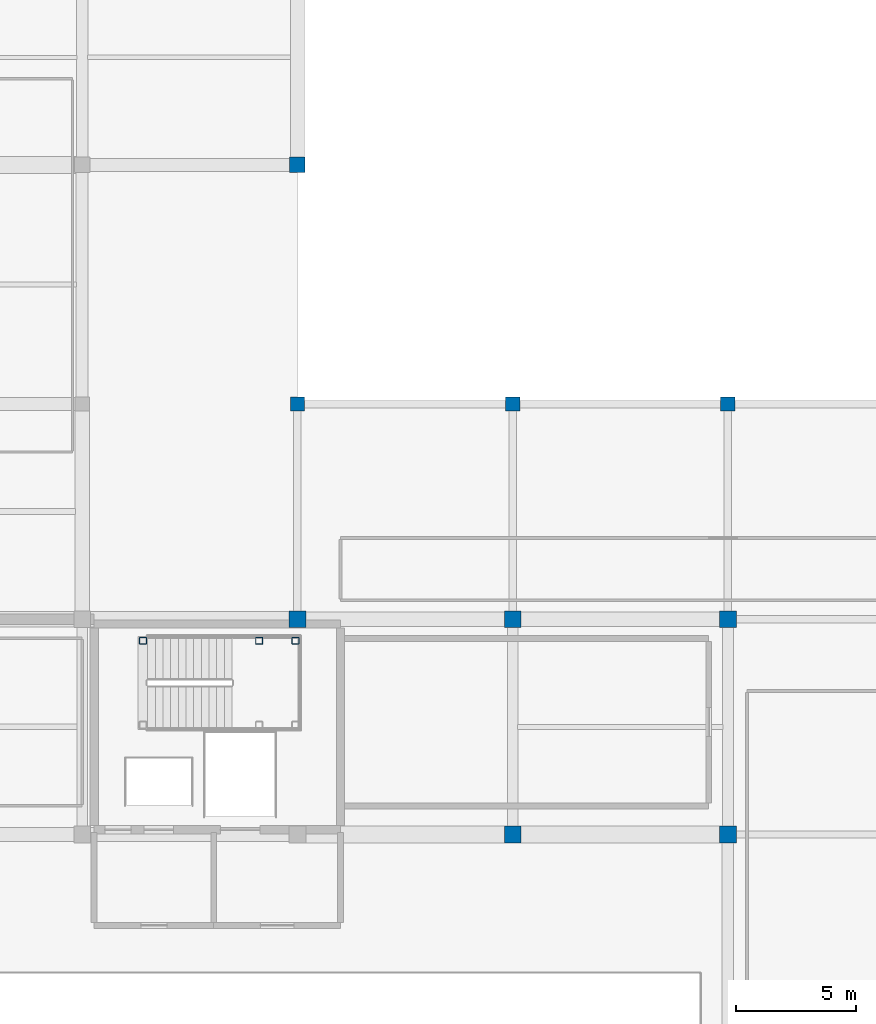
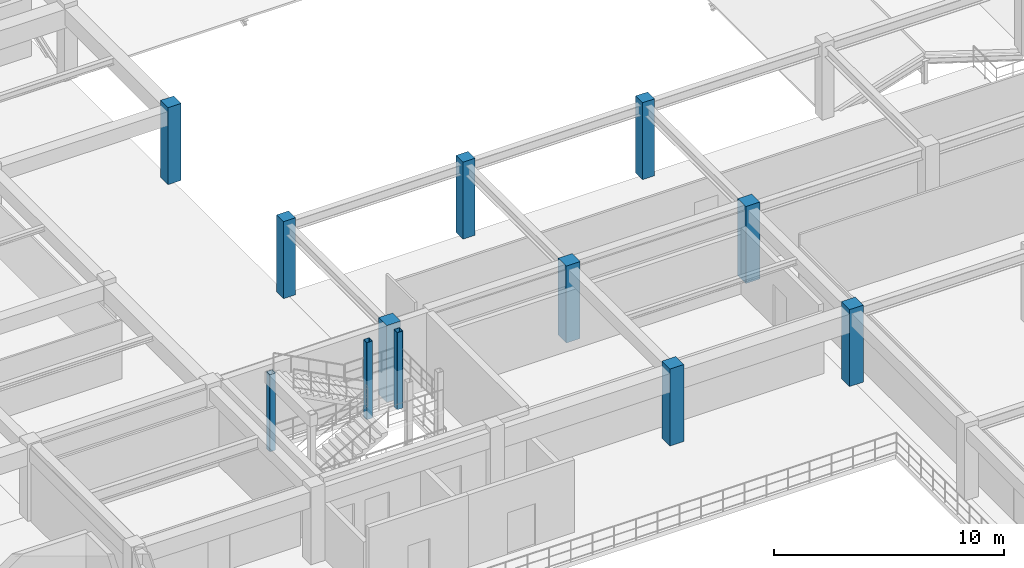
# One storey, part 9 of 110: 12 columns.
"""IFC4 building model written with IfcOpenShell, lengths in metres."""

from ifc_helpers import new_model, si_unit, direction, frame, origin, origin_2d, place, context, subcontext, project, spatial, rectangle, hollow_rectangle, extrude, material, material_profile, profile_set, type_object, element, save


model = new_model("IFC4")

# Units and contexts
model_context = context("Model", 3, precision=1e-05, world=origin(), true_north=direction((0.0, 1.0)))
body_context = subcontext(model_context, "Body", "Model", "MODEL_VIEW")
ifc_project = project(units=[si_unit("LENGTHUNIT", "METRE"), si_unit("AREAUNIT", "SQUARE_METRE"), si_unit("VOLUMEUNIT", "CUBIC_METRE"), si_unit("PLANEANGLEUNIT", "RADIAN"), si_unit("MASSUNIT", "GRAM", prefix="KILO")], contexts=[model_context])

# Site, building, storey
site_placement = place(None, origin())
site = spatial("IfcSite", under=ifc_project, at=site_placement, CompositionType="ELEMENT")
building_placement = place(site_placement, origin())
building = spatial("IfcBuilding", under=site, at=building_placement, Name="Miravela Opera House", CompositionType="ELEMENT")
storey_placement = place(building_placement, frame((0.0, 0.0, 13.60009765625)))
storey = spatial("IfcBuildingStorey", under=building, at=storey_placement, Name="L03", CompositionType="ELEMENT", Elevation=13.60009765625)

# Columns
ifc_material_1 = material(Name="Hollow structural steel ASTM A500 Gr. C", Category="steel")
ifc_material_profile_1 = material_profile(ifc_material_1, hollow_rectangle(XDim=0.300048828125, YDim=0.300048828125, WallThickness=0.01611328125, InnerFilletRadius=0.01611328125, OuterFilletRadius=0.031982421875, at=origin_2d()), Name="HSS300X300X16")
ifc_profile_set_1 = profile_set([ifc_material_profile_1])
column_type_1 = type_object("IfcColumnType", Name="STR-COL-HSS300", PredefinedType="COLUMN", material=ifc_profile_set_1)
for number, where, z_axis, x_axis, name in (
    (1, (110.5400390625, 74.10009765625, 0.0), (0.0, 0.0, 1.0), (1.0, 0.0, 0.0), "Stair K3 Landing Support Column 2 (L03)"),
    (2, (115.39990234375, 74.10009765625, 0.0), (0.0, 0.0, 1.0), (1.0, 0.0, 0.0), "Stair K3 Landing Support Column 4 (L03)"),
    (3, (116.919921875, 74.10009765625, 0.0), (0.0, 0.0, 1.0), (1.0, 0.0, 0.0), "Stair K3 Landing Support Column 6 (L03)"),
):
    element("IfcColumn", number, at=place(storey_placement, frame(where, z_axis=z_axis, x_axis=x_axis)), inside=storey, type_object=column_type_1, Name=name, PredefinedType="COLUMN", context=body_context, shape_type="SweptSolid", body=[
        extrude(hollow_rectangle(XDim=0.300048828125, YDim=0.300048828125, WallThickness=0.01611328125, InnerFilletRadius=0.01611328125, OuterFilletRadius=0.031982421875, at=origin_2d()), origin(), (0.0, 0.0, 1.0), 4.079833984375),
    ])
ifc_material_2 = material(Name="Concrete C35/45", Category="concrete")
ifc_material_profile_2 = material_profile(ifc_material_2, rectangle(XDim=0.60009765625, YDim=0.60009765625, at=origin_2d()), Name="RC-COL-600X600")
ifc_profile_set_2 = profile_set([ifc_material_profile_2])
column_type_2 = type_object("IfcColumnType", Name="STR-COL-RC600", PredefinedType="COLUMN", material=ifc_profile_set_2)
for number, where, z_axis, x_axis, name in (
    (4, (117.0, 84.0, 0.0), (0.0, 0.0, 1.0), (1.0, 0.0, 0.0), "Column C-14J (L03)"),
    (5, (126.0, 84.0, 0.0), (0.0, 0.0, 1.0), (1.0, 0.0, 0.0), "Column C-15J (L03)"),
    (6, (135.0, 84.0, 0.0), (0.0, 0.0, 1.0), (1.0, 0.0, 0.0), "Column C-16J (L03)"),
):
    element("IfcColumn", number, at=place(storey_placement, frame(where, z_axis=z_axis, x_axis=x_axis)), inside=storey, type_object=column_type_2, Name=name, PredefinedType="COLUMN", context=body_context, shape_type="SweptSolid", body=[
        extrude(rectangle(XDim=0.60009765625, YDim=0.60009765625, at=origin_2d()), origin(), (0.0, 0.0, 1.0), 4.079833984375),
    ])
ifc_material_profile_3 = material_profile(ifc_material_2, rectangle(XDim=0.64990234375, YDim=0.64990234375, at=origin_2d()), Name="RC-COL-650X650")
ifc_profile_set_3 = profile_set([ifc_material_profile_3])
column_type_3 = type_object("IfcColumnType", Name="STR-COL-RC650", PredefinedType="COLUMN", material=ifc_profile_set_3)
column_placement = place(storey_placement, frame((117.0, 94.0, 0.0), z_axis=(0.0, 0.0, 1.0), x_axis=(1.0, 0.0, 0.0)))
element("IfcColumn", 7, at=column_placement, inside=storey, type_object=column_type_3, Name="Column C-14K (L03)", PredefinedType="COLUMN", context=body_context, shape_type="SweptSolid", body=[
    extrude(rectangle(XDim=0.64990234375, YDim=0.64990234375, at=origin_2d()), origin(), (0.0, 0.0, 1.0), 4.079833984375),
])
ifc_material_profile_4 = material_profile(ifc_material_2, rectangle(XDim=0.699951171875, YDim=0.699951171875, at=origin_2d()), Name="RC-COL-700X700")
ifc_profile_set_4 = profile_set([ifc_material_profile_4])
column_type_4 = type_object("IfcColumnType", Name="STR-COL-RC700", PredefinedType="COLUMN", material=ifc_profile_set_4)
for number, where, z_axis, x_axis, name in (
    (8, (117.0, 75.0, 0.0), (0.0, 0.0, 1.0), (1.0, 0.0, 0.0), "Column C-14I (L03)"),
    (9, (126.0, 66.0, 0.0), (0.0, 0.0, 1.0), (1.0, 0.0, 0.0), "Column C-15H (L03)"),
    (10, (126.0, 75.0, 0.0), (0.0, 0.0, 1.0), (1.0, 0.0, 0.0), "Column C-15I (L03)"),
    (11, (135.0, 66.0, 0.0), (0.0, 0.0, 1.0), (1.0, 0.0, 0.0), "Column C-16H (L03)"),
    (12, (135.0, 75.0, 0.0), (0.0, 0.0, 1.0), (1.0, 0.0, 0.0), "Column C-16I (L03)"),
):
    element("IfcColumn", number, at=place(storey_placement, frame(where, z_axis=z_axis, x_axis=x_axis)), inside=storey, type_object=column_type_4, Name=name, PredefinedType="COLUMN", context=body_context, shape_type="SweptSolid", body=[
        extrude(rectangle(XDim=0.699951171875, YDim=0.699951171875, at=origin_2d()), origin(), (0.0, 0.0, 1.0), 4.079833984375),
    ])

save(model, "model.ifc")
